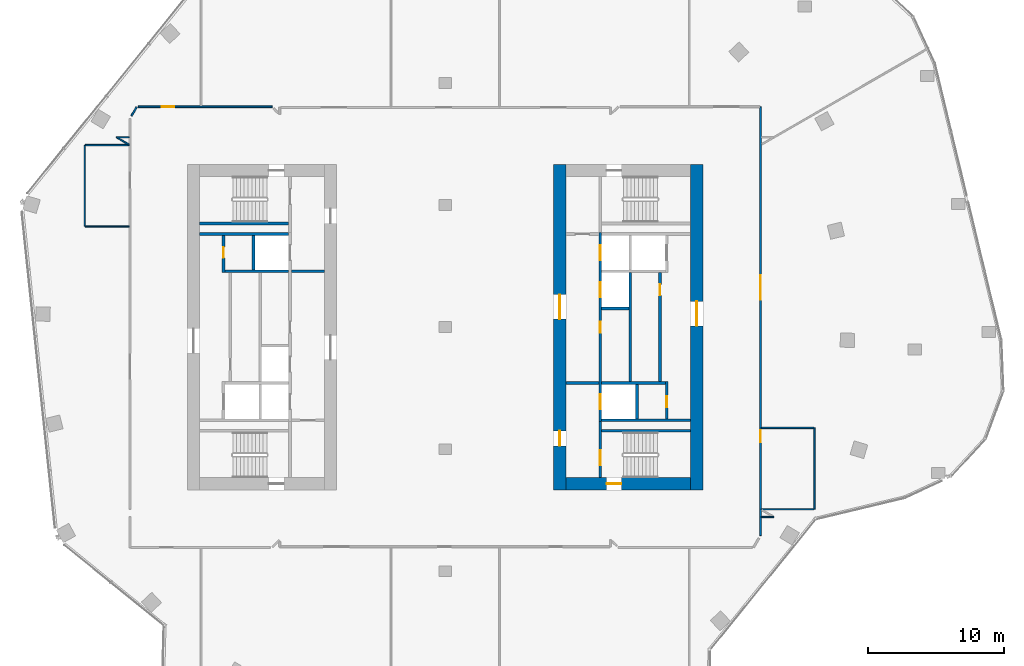
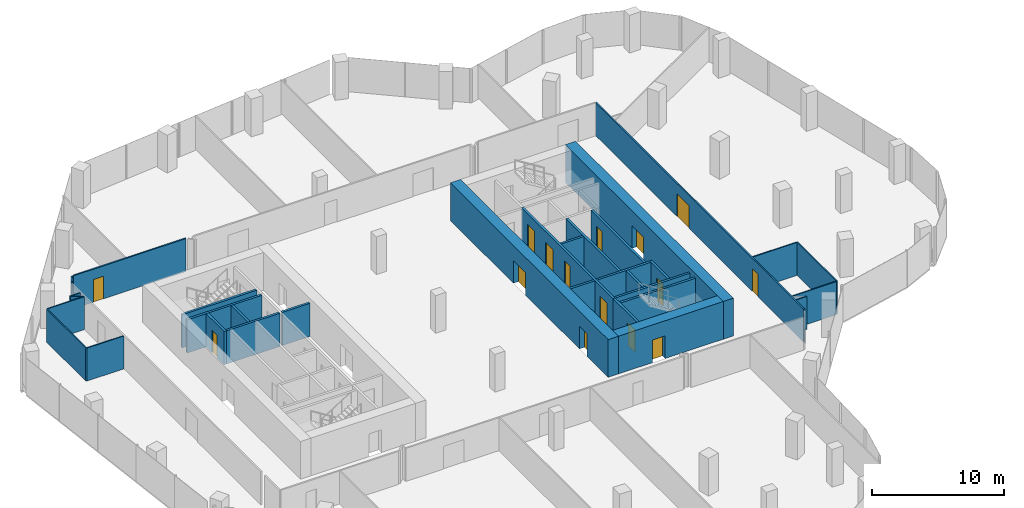
# One storey, part 19 of 25: 32 walls, 15 doors, 15 openings.
"""IFC4 building model written with IfcOpenShell, lengths in metres."""

from ifc_helpers import new_model, si_unit, direction, frame, frame_2d, origin, place, context, subcontext, project, spatial, rectangle, extrude, material, layer, layer_set, type_object, element, fill, save


model = new_model("IFC4")

# Units and contexts
model_context = context("Model", 3, precision=1e-05, world=origin(), true_north=direction((0.0, 1.0)))
body_context = subcontext(model_context, "Body", "Model", "MODEL_VIEW")
ifc_project = project(units=[si_unit("LENGTHUNIT", "METRE"), si_unit("AREAUNIT", "SQUARE_METRE"), si_unit("VOLUMEUNIT", "CUBIC_METRE"), si_unit("PLANEANGLEUNIT", "RADIAN"), si_unit("MASSUNIT", "GRAM", prefix="KILO")], contexts=[model_context])

# Site, building, storey
site_placement = place(None, origin())
site = spatial("IfcSite", under=ifc_project, at=site_placement, CompositionType="ELEMENT")
building_placement = place(site_placement, origin())
building = spatial("IfcBuilding", under=site, at=building_placement, Name="Orlundy Tower", CompositionType="ELEMENT")
storey_placement = place(building_placement, frame((0.0, 0.0, 217.5)))
storey = spatial("IfcBuildingStorey", under=building, at=storey_placement, Name="L57", CompositionType="ELEMENT", Elevation=217.5)

# Wall, opening, door
ifc_material_1 = material(Name="Concrete C60/75", Category="concrete")
ifc_layer_1 = layer(ifc_material_1, 0.89990234375)
ifc_layer_set_1 = layer_set([ifc_layer_1], Name="CORE WALL 900 C60/75")
wall_type_1 = type_object("IfcWallType", Name="CORE WALL 900 C60/75", PredefinedType="SHEAR", material=ifc_layer_set_1)
wall_1_placement = place(storey_placement, frame((8.89990234375, -11.550048828125, 0.0), z_axis=(0.0, 0.0, 1.0), x_axis=(1.0, 0.0, 0.0)))
wall_1 = element("IfcWall", 1, at=wall_1_placement, inside=storey, type_object=wall_type_1, Name="Core wall E-S L57", PredefinedType="SHEAR", context=body_context, shape_type="SweptSolid", body=[
    extrude(rectangle(XDim=9.2001953125, YDim=0.89990234375, at=frame_2d((4.60009765625, 0.0))), origin(), (0.0, 0.0, 1.0), 3.5),
])
opening_1_placement = place(wall_1_placement, frame((3.0, 0.0, 0.0)))
opening_1 = element("IfcOpeningElement", 2, at=opening_1_placement, cuts=wall_1, Name="Opening 44060", PredefinedType="OPENING", context=body_context, shape_type="SweptSolid", body=[
    extrude(rectangle(XDim=1.10009765625, YDim=2.10009765625, at=frame_2d((0.550048828125, 1.050048828125))), frame((0.0, 0.4599609375, 0.0), z_axis=(0.0, -1.0, 0.0), x_axis=(1.0, 0.0, 0.0)), (0.0, 0.0, 1.0), 0.919921875),
])
ifc_material_2 = material(Name="Steel door set", Category="steel")
door_type_1 = type_object("IfcDoorType", Name="Stair Door 1100x2100", OperationType="SINGLE_SWING_LEFT", PredefinedType="DOOR", material=ifc_material_2)
door_1_placement = place(opening_1_placement, origin())
door_1 = element("IfcDoor", 3, at=door_1_placement, inside=storey, type_object=door_type_1, Name="Stair door 44060", OperationType="SINGLE_SWING_LEFT", OverallHeight=2.10009765625, OverallWidth=1.10009765625, PredefinedType="DOOR", context=body_context, shape_type="SweptSolid", body=[
    extrude(rectangle(XDim=1.10009765625, YDim=2.10009765625, at=frame_2d((0.550048828125, 1.050048828125))), frame((0.0, 0.02490234375, 0.0), z_axis=(0.0, -1.0, 0.0), x_axis=(1.0, 0.0, 0.0)), (0.0, 0.0, 1.0), 0.050048828125),
])
fill(opening_1, door_1)

# Wall, openings, doors
wall_2_placement = place(storey_placement, frame((8.449951171875, -12.0, 0.0), z_axis=(0.0, 0.0, 1.0), x_axis=(0.0, 1.0, 0.0)))
wall_2 = element("IfcWall", 4, at=wall_2_placement, inside=storey, type_object=wall_type_1, Name="Core wall E-W L57", PredefinedType="SHEAR", context=body_context, shape_type="SweptSolid", body=[
    extrude(rectangle(XDim=24.0, YDim=0.89990234375, at=frame_2d((12.0, 0.0))), origin(), (0.0, 0.0, 1.0), 3.5),
])
opening_2_placement = place(wall_2_placement, frame((12.60009765625, 0.0, 0.0)))
opening_2 = element("IfcOpeningElement", 5, at=opening_2_placement, cuts=wall_2, Name="Opening 44057", PredefinedType="OPENING", context=body_context, shape_type="SweptSolid", body=[
    extrude(rectangle(XDim=1.800048828125, YDim=2.10009765625, at=frame_2d((0.89990234375, 1.050048828125))), frame((0.0, 0.4599609375, 0.0), z_axis=(0.0, -1.0, 0.0), x_axis=(1.0, 0.0, 0.0)), (0.0, 0.0, 1.0), 0.919921875),
])
opening_3_placement = place(wall_2_placement, frame((3.25, 0.0, 0.0)))
opening_3 = element("IfcOpeningElement", 6, at=opening_3_placement, cuts=wall_2, Name="Opening 44059", PredefinedType="OPENING", context=body_context, shape_type="SweptSolid", body=[
    extrude(rectangle(XDim=1.10009765625, YDim=2.10009765625, at=frame_2d((0.550048828125, 1.050048828125))), frame((0.0, 0.4599609375, 0.0), z_axis=(0.0, -1.0, 0.0), x_axis=(1.0, 0.0, 0.0)), (0.0, 0.0, 1.0), 0.919921875),
])
ifc_material_3 = material(Name="Steel door set", Category="steel")
door_type_2 = type_object("IfcDoorType", Name="Fire-fighting Lobby Door 1100x2100", OperationType="SINGLE_SWING_LEFT", PredefinedType="DOOR", material=ifc_material_3)
door_2_placement = place(opening_3_placement, origin())
door_2 = element("IfcDoor", 7, at=door_2_placement, inside=storey, type_object=door_type_2, Name="Fire-fighting lobby door 44059", OperationType="SINGLE_SWING_LEFT", OverallHeight=2.10009765625, OverallWidth=1.10009765625, PredefinedType="DOOR", context=body_context, shape_type="SweptSolid", body=[
    extrude(rectangle(XDim=1.10009765625, YDim=2.10009765625, at=frame_2d((0.550048828125, 1.050048828125))), frame((0.0, 0.02490234375, 0.0), z_axis=(0.0, -1.0, 0.0), x_axis=(1.0, 0.0, 0.0)), (0.0, 0.0, 1.0), 0.050048828125),
])
fill(opening_3, door_2)
ifc_material_4 = material(Name="Timber door set", Category="wood")
door_type_3 = type_object("IfcDoorType", Name="Lobby Door 1800x2100", OperationType="DOUBLE_DOOR_DOUBLE_SWING", PredefinedType="DOOR", material=ifc_material_4)
door_3_placement = place(opening_2_placement, origin())
door_3 = element("IfcDoor", 8, at=door_3_placement, inside=storey, type_object=door_type_3, Name="Lift lobby door 44057", OperationType="SINGLE_SWING_RIGHT", OverallHeight=2.10009765625, OverallWidth=1.800048828125, PredefinedType="DOOR", context=body_context, shape_type="SweptSolid", body=[
    extrude(rectangle(XDim=1.800048828125, YDim=2.10009765625, at=frame_2d((0.89990234375, 1.050048828125))), frame((0.0, 0.02490234375, 0.0), z_axis=(0.0, -1.0, 0.0), x_axis=(1.0, 0.0, 0.0)), (0.0, 0.0, 1.0), 0.050048828125),
])
fill(opening_2, door_3)

# Wall, opening, door
wall_3_placement = place(storey_placement, frame((18.550048828125, -12.0, 0.0), z_axis=(0.0, 0.0, 1.0), x_axis=(0.0, 1.0, 0.0)))
wall_3 = element("IfcWall", 9, at=wall_3_placement, inside=storey, type_object=wall_type_1, Name="Core wall E-E L57", PredefinedType="SHEAR", context=body_context, shape_type="SweptSolid", body=[
    extrude(rectangle(XDim=24.0, YDim=0.89990234375, at=frame_2d((12.0, 0.0))), origin(), (0.0, 0.0, 1.0), 3.5),
])
opening_4_placement = place(wall_3_placement, frame((12.10009765625, 0.0, 0.0)))
opening_4 = element("IfcOpeningElement", 10, at=opening_4_placement, cuts=wall_3, Name="Opening 44058", PredefinedType="OPENING", context=body_context, shape_type="SweptSolid", body=[
    extrude(rectangle(XDim=1.800048828125, YDim=2.10009765625, at=frame_2d((0.89990234375, 1.050048828125))), frame((0.0, 0.4599609375, 0.0), z_axis=(0.0, -1.0, 0.0), x_axis=(1.0, 0.0, 0.0)), (0.0, 0.0, 1.0), 0.919921875),
])
door_4_placement = place(opening_4_placement, origin())
door_4 = element("IfcDoor", 11, at=door_4_placement, inside=storey, type_object=door_type_3, Name="Lift lobby door 44058", OperationType="SINGLE_SWING_RIGHT", OverallHeight=2.10009765625, OverallWidth=1.800048828125, PredefinedType="DOOR", context=body_context, shape_type="SweptSolid", body=[
    extrude(rectangle(XDim=1.800048828125, YDim=2.10009765625, at=frame_2d((0.89990234375, 1.050048828125))), frame((0.0, 0.02490234375, 0.0), z_axis=(0.0, -1.0, 0.0), x_axis=(1.0, 0.0, 0.0)), (0.0, 0.0, 1.0), 0.050048828125),
])
fill(opening_4, door_4)

# Walls
ifc_material_5 = material(Name="Gypsum board partition")
ifc_layer_2 = layer(ifc_material_5, 0.10009765625)
ifc_layer_set_2 = layer_set([ifc_layer_2], Name="Floor partition 100")
wall_type_2 = type_object("IfcWallType", Name="Floor partition 100", PredefinedType="PARTITIONING", material=ifc_layer_set_2)
wall_4_placement = place(storey_placement, frame((-24.2060546875, 13.97509765625, 0.0), z_axis=(0.0, 0.0, 1.0), x_axis=(0.866136921896, -0.4998067952, 0.0)))
element("IfcWall", 12, at=wall_4_placement, inside=storey, type_object=wall_type_2, Name="wall-int-L57-005", PredefinedType="PARTITIONING", context=body_context, shape_type="SweptSolid", body=[
    extrude(rectangle(XDim=1.00244140625, YDim=0.10009765625, at=frame_2d((0.501220703125, 0.0))), origin(), (0.0, 0.0, 1.0), 3.06005859375),
])
wall_5_placement = place(storey_placement, frame((23.31396484375, -14.0, 0.0), z_axis=(0.0, 0.0, 1.0), x_axis=(1.0, 0.0, 0.0)))
element("IfcWall", 13, at=wall_5_placement, inside=storey, type_object=wall_type_2, Name="wall-int-L57-009", PredefinedType="PARTITIONING", context=body_context, shape_type="SweptSolid", body=[
    extrude(rectangle(XDim=0.93310546875, YDim=0.10009765625, at=frame_2d((0.466552734375, 0.0))), origin(), (0.0, 0.0, 1.0), 3.06005859375),
])
wall_6_placement = place(storey_placement, frame((23.31689453125, -13.426025390625, 0.0), z_axis=(0.0, 0.0, 1.0), x_axis=(1.0, 0.0, 0.0)))
element("IfcWall", 14, at=wall_6_placement, inside=storey, type_object=wall_type_2, Name="wall-int-L57-010", PredefinedType="PARTITIONING", context=body_context, shape_type="SweptSolid", body=[
    extrude(rectangle(XDim=3.882080078125, YDim=0.10009765625, at=frame_2d((1.94091796875, 0.0))), origin(), (0.0, 0.0, 1.0), 3.06005859375),
])
wall_7_placement = place(storey_placement, frame((23.31396484375, -7.425048828125, 0.0), z_axis=(0.0, 0.0, 1.0), x_axis=(1.0, 0.0, 0.0)))
element("IfcWall", 15, at=wall_7_placement, inside=storey, type_object=wall_type_2, Name="wall-int-L57-011", PredefinedType="PARTITIONING", context=body_context, shape_type="SweptSolid", body=[
    extrude(rectangle(XDim=3.885009765625, YDim=0.10009765625, at=frame_2d((1.9423828125, 0.0))), origin(), (0.0, 0.0, 1.0), 3.06005859375),
])
wall_8_placement = place(storey_placement, frame((-26.531982421875, 7.423095703125, 0.0), z_axis=(0.0, 0.0, 1.0), x_axis=(1.0, 0.0, 0.0)))
element("IfcWall", 16, at=wall_8_placement, inside=storey, type_object=wall_type_2, Name="wall-int-L57-012", PredefinedType="PARTITIONING", context=body_context, shape_type="SweptSolid", body=[
    extrude(rectangle(XDim=3.219970703125, YDim=0.10009765625, at=frame_2d((1.60986328125, 0.0))), origin(), (0.0, 0.0, 1.0), 3.06005859375),
])
wall_9_placement = place(storey_placement, frame((-26.531005859375, 13.424072265625, 0.0), z_axis=(0.0, 0.0, 1.0), x_axis=(1.0, 0.0, 0.0)))
element("IfcWall", 17, at=wall_9_placement, inside=storey, type_object=wall_type_2, Name="wall-int-L57-013", PredefinedType="PARTITIONING", context=body_context, shape_type="SweptSolid", body=[
    extrude(rectangle(XDim=3.217041015625, YDim=0.10009765625, at=frame_2d((1.6083984375, 0.0))), origin(), (0.0, 0.0, 1.0), 3.06005859375),
])
wall_10_placement = place(storey_placement, frame((-24.2490234375, 14.0, 0.0), z_axis=(0.0, 0.0, 1.0), x_axis=(1.0, 0.0, 0.0)))
element("IfcWall", 18, at=wall_10_placement, inside=storey, type_object=wall_type_2, Name="wall-int-L57-014", PredefinedType="PARTITIONING", context=body_context, shape_type="SweptSolid", body=[
    extrude(rectangle(XDim=0.93701171875, YDim=0.10009765625, at=frame_2d((0.468505859375, 0.0))), origin(), (0.0, 0.0, 1.0), 3.06005859375),
])
wall_11_placement = place(storey_placement, frame((27.2490234375, -13.426025390625, 0.0), z_axis=(0.0, 0.0, 1.0), x_axis=(0.0, 1.0, 0.0)))
element("IfcWall", 19, at=wall_11_placement, inside=storey, type_object=wall_type_2, Name="wall-int-L57-025", PredefinedType="PARTITIONING", context=body_context, shape_type="SweptSolid", body=[
    extrude(rectangle(XDim=6.0009765625, YDim=0.10009765625, at=frame_2d((3.00048828125, 0.0))), origin(), (0.0, 0.0, 1.0), 3.06005859375),
])
wall_12_placement = place(storey_placement, frame((-26.58203125, 7.423095703125, 0.0), z_axis=(0.0, 0.0, 1.0), x_axis=(0.0, 1.0, 0.0)))
element("IfcWall", 20, at=wall_12_placement, inside=storey, type_object=wall_type_2, Name="wall-int-L57-039", PredefinedType="PARTITIONING", context=body_context, shape_type="SweptSolid", body=[
    extrude(rectangle(XDim=6.0, YDim=0.10009765625, at=frame_2d((3.0, 0.0))), origin(), (0.0, 0.0, 1.0), 3.06005859375),
])

# Wall, opening, door
ifc_material_6 = material(Name="Gypsum board partition, double layer")
ifc_layer_3 = layer(ifc_material_6, 0.125)
ifc_layer_set_3 = layer_set([ifc_layer_3], Name="Floor partition 125")
wall_type_3 = type_object("IfcWallType", Name="Floor partition 125", PredefinedType="PARTITIONING", material=ifc_layer_set_3)
wall_13_placement = place(storey_placement, frame((-22.634033203125, 16.25, 0.0), z_axis=(0.0, 0.0, 1.0), x_axis=(1.0, 0.0, 0.0)))
wall_13 = element("IfcWall", 21, at=wall_13_placement, inside=storey, type_object=wall_type_3, Name="wall-int-L57-017", PredefinedType="PARTITIONING", context=body_context, shape_type="SweptSolid", body=[
    extrude(rectangle(XDim=9.875, YDim=0.125, at=frame_2d((4.9375, 0.0))), origin(), (0.0, 0.0, 1.0), 3.06005859375),
])
opening_5_placement = place(wall_13_placement, frame((1.740478515625, 0.0, 0.0)))
opening_5 = element("IfcOpeningElement", 22, at=opening_5_placement, cuts=wall_13, Name="Opening 44109", PredefinedType="OPENING", context=body_context, shape_type="SweptSolid", body=[
    extrude(rectangle(XDim=0.89990234375, YDim=2.10009765625, at=frame_2d((0.449951171875, 1.050048828125))), frame((0.0, 0.072509765625, 0.0), z_axis=(0.0, -1.0, 0.0), x_axis=(1.0, 0.0, 0.0)), (0.0, 0.0, 1.0), 0.14501953125),
])
ifc_material_7 = material(Name="Timber door leaf", Category="wood")
door_type_4 = type_object("IfcDoorType", Name="Floor door single 900 FD30S", OperationType="NOTDEFINED", PredefinedType="DOOR", material=ifc_material_7)
door_5_placement = place(opening_5_placement, origin())
door_5 = element("IfcDoor", 23, at=door_5_placement, inside=storey, type_object=door_type_4, Name="Door 44109", OperationType="SINGLE_SWING_LEFT", OverallHeight=2.10009765625, OverallWidth=0.89990234375, PredefinedType="DOOR", context=body_context, shape_type="SweptSolid", body=[
    extrude(rectangle(XDim=0.89990234375, YDim=2.10009765625, at=frame_2d((0.449951171875, 1.050048828125))), frame((0.0, 0.02490234375, 0.0), z_axis=(0.0, -1.0, 0.0), x_axis=(1.0, 0.0, 0.0)), (0.0, 0.0, 1.0), 0.050048828125),
])
fill(opening_5, door_5)

# Wall
wall_14_placement = place(storey_placement, frame((-23.134033203125, 15.5791015625, 0.0), z_axis=(0.0, 0.0, 1.0), x_axis=(0.508070392977, 0.861315549482, 0.0)))
element("IfcWall", 24, at=wall_14_placement, inside=storey, type_object=wall_type_3, Name="wall-int-L57-023", PredefinedType="PARTITIONING", context=body_context, shape_type="SweptSolid", body=[
    extrude(rectangle(XDim=0.76171875, YDim=0.125, at=frame_2d((0.380859375, 0.0))), origin(), (0.0, 0.0, 1.0), 3.06005859375),
])

# Wall, openings, doors
wall_15_placement = place(storey_placement, frame((23.2509765625, 16.25, 0.0), z_axis=(0.0, 0.0, 1.0), x_axis=(0.0, -1.0, 0.0)))
wall_15 = element("IfcWall", 25, at=wall_15_placement, inside=storey, type_object=wall_type_3, Name="wall-int-L57-026", PredefinedType="PARTITIONING", context=body_context, shape_type="SweptSolid", body=[
    extrude(rectangle(XDim=31.631103515625, YDim=0.125, at=frame_2d((15.8154296875, 0.0))), origin(), (0.0, 0.0, 1.0), 3.06005859375),
])
opening_6_placement = place(wall_15_placement, frame((12.426025390625, 0.0, 0.0)))
opening_6 = element("IfcOpeningElement", 26, at=opening_6_placement, cuts=wall_15, Name="Opening 44104", PredefinedType="OPENING", context=body_context, shape_type="SweptSolid", body=[
    extrude(rectangle(XDim=1.800048828125, YDim=2.10009765625, at=frame_2d((0.89990234375, 1.050048828125))), frame((0.0, 0.072509765625, 0.0), z_axis=(0.0, -1.0, 0.0), x_axis=(1.0, 0.0, 0.0)), (0.0, 0.0, 1.0), 0.14501953125),
])
opening_7_placement = place(wall_15_placement, frame((23.85009765625, 0.0, 0.0)))
opening_7 = element("IfcOpeningElement", 27, at=opening_7_placement, cuts=wall_15, Name="Opening 44111", PredefinedType="OPENING", context=body_context, shape_type="SweptSolid", body=[
    extrude(rectangle(XDim=0.89990234375, YDim=2.10009765625, at=frame_2d((0.449951171875, 1.050048828125))), frame((0.0, 0.072509765625, 0.0), z_axis=(0.0, -1.0, 0.0), x_axis=(1.0, 0.0, 0.0)), (0.0, 0.0, 1.0), 0.14501953125),
])
ifc_material_8 = material(Name="Timber door leaf", Category="wood")
door_type_5 = type_object("IfcDoorType", Name="Floor door double 1800 FD30S", OperationType="NOTDEFINED", PredefinedType="DOOR", material=ifc_material_8)
door_6_placement = place(opening_6_placement, origin())
door_6 = element("IfcDoor", 28, at=door_6_placement, inside=storey, type_object=door_type_5, Name="Door 44104", OperationType="DOUBLE_DOOR_SINGLE_SWING", OverallHeight=2.10009765625, OverallWidth=1.800048828125, PredefinedType="DOOR", context=body_context, shape_type="SweptSolid", body=[
    extrude(rectangle(XDim=1.800048828125, YDim=2.10009765625, at=frame_2d((0.89990234375, 1.050048828125))), frame((0.0, 0.02490234375, 0.0), z_axis=(0.0, -1.0, 0.0), x_axis=(1.0, 0.0, 0.0)), (0.0, 0.0, 1.0), 0.050048828125),
])
fill(opening_6, door_6)
door_7_placement = place(opening_7_placement, origin())
door_7 = element("IfcDoor", 29, at=door_7_placement, inside=storey, type_object=door_type_4, Name="Door 44111", OperationType="SINGLE_SWING_RIGHT", OverallHeight=2.10009765625, OverallWidth=0.89990234375, PredefinedType="DOOR", context=body_context, shape_type="SweptSolid", body=[
    extrude(rectangle(XDim=0.89990234375, YDim=2.10009765625, at=frame_2d((0.449951171875, 1.050048828125))), frame((0.0, 0.02490234375, 0.0), z_axis=(0.0, -1.0, 0.0), x_axis=(1.0, 0.0, 0.0)), (0.0, 0.0, 1.0), 0.050048828125),
])
fill(opening_7, door_7)

# Wall
ifc_material_9 = material(Name="Concrete C40/50", Category="concrete")
ifc_layer_4 = layer(ifc_material_9, 0.199951171875)
ifc_layer_set_4 = layer_set([ifc_layer_4], Name="Load-bearing Shaft Wall 200")
wall_type_4 = type_object("IfcWallType", Name="Load-bearing Shaft Wall 200", PredefinedType="SOLIDWALL", material=ifc_layer_set_4)
wall_16_placement = place(storey_placement, frame((-11.5400390625, 7.64990234375, 0.0), z_axis=(0.0, 0.0, 1.0), x_axis=(-1.0, 0.0, 0.0)))
element("IfcWall", 30, at=wall_16_placement, inside=storey, type_object=wall_type_4, Name="Shaft wall W44-stair-side-n", PredefinedType="SOLIDWALL", context=body_context, shape_type="SweptSolid", body=[
    extrude(rectangle(XDim=6.56005859375, YDim=0.199951171875, at=frame_2d((3.280029296875, 0.0))), origin(), (0.0, 0.0, 1.0), 3.080078125),
])

# Wall, opening, door
wall_17_placement = place(storey_placement, frame((11.43994140625, -6.97509765625, 0.0), z_axis=(0.0, 0.0, 1.0), x_axis=(0.0, -1.0, 0.0)))
wall_17 = element("IfcWall", 31, at=wall_17_placement, inside=storey, type_object=wall_type_4, Name="Shaft wall E44-stair-end-n", PredefinedType="SOLIDWALL", context=body_context, shape_type="SweptSolid", body=[
    extrude(rectangle(XDim=4.125, YDim=0.199951171875, at=frame_2d((2.0625, 0.0))), origin(), (0.0, 0.0, 1.0), 3.080078125),
])
opening_8_placement = place(wall_17_placement, frame((2.10009765625, 0.0, 0.0)))
opening_8 = element("IfcOpeningElement", 32, at=opening_8_placement, cuts=wall_17, Name="Opening 44062", PredefinedType="OPENING", context=body_context, shape_type="SweptSolid", body=[
    extrude(rectangle(XDim=1.10009765625, YDim=2.10009765625, at=frame_2d((0.550048828125, 1.050048828125))), frame((0.0, 0.110107421875, 0.0), z_axis=(0.0, -1.0, 0.0), x_axis=(1.0, 0.0, 0.0)), (0.0, 0.0, 1.0), 0.22021484375),
])
door_8_placement = place(opening_8_placement, origin())
door_8 = element("IfcDoor", 33, at=door_8_placement, inside=storey, type_object=door_type_2, Name="Fire-fighting lobby to stair door 44062", OperationType="SINGLE_SWING_RIGHT", OverallHeight=2.10009765625, OverallWidth=1.10009765625, PredefinedType="DOOR", context=body_context, shape_type="SweptSolid", body=[
    extrude(rectangle(XDim=1.10009765625, YDim=2.10009765625, at=frame_2d((0.550048828125, 1.050048828125))), frame((0.0, 0.02490234375, 0.0), z_axis=(0.0, -1.0, 0.0), x_axis=(1.0, 0.0, 0.0)), (0.0, 0.0, 1.0), 0.050048828125),
])
fill(opening_8, door_8)

# Walls
wall_18_placement = place(storey_placement, frame((11.5400390625, -7.64990234375, 0.0), z_axis=(0.0, 0.0, 1.0), x_axis=(1.0, 0.0, 0.0)))
element("IfcWall", 34, at=wall_18_placement, inside=storey, type_object=wall_type_4, Name="Shaft wall E44-stair-side-n", PredefinedType="SOLIDWALL", context=body_context, shape_type="SweptSolid", body=[
    extrude(rectangle(XDim=6.56005859375, YDim=0.199951171875, at=frame_2d((3.280029296875, 0.0))), origin(), (0.0, 0.0, 1.0), 3.080078125),
])
ifc_material_10 = material(Name="Gypsum board partition on steel studs", Category="steel")
ifc_layer_5 = layer(ifc_material_10, 0.199951171875)
ifc_layer_set_5 = layer_set([ifc_layer_5], Name="Partition 200")
wall_type_5 = type_object("IfcWallType", Name="Partition 200", PredefinedType="PARTITIONING", material=ifc_layer_set_5)
for number, where, z_axis, x_axis, name in (
    (35, (-8.89990234375, 4.125, 0.0), (0.0, 0.0, 1.0), (-1.0, 0.0, 0.0), "Partition wall W44-lobby-n"),
    (36, (8.89990234375, -4.125, 0.0), (0.0, 0.0, 1.0), (1.0, 0.0, 0.0), "Partition wall E44-lobby-n"),
):
    element("IfcWall", number, at=place(storey_placement, frame(where, z_axis=z_axis, x_axis=x_axis)), inside=storey, type_object=wall_type_5, Name=name, PredefinedType="PARTITIONING", context=body_context, shape_type="SweptSolid", body=[
        extrude(rectangle(XDim=2.440185546875, YDim=0.199951171875, at=frame_2d((1.22021484375, 0.0))), origin(), (0.0, 0.0, 1.0), 3.080078125),
    ])
ifc_material_11 = material(Name="Fire-rated blockwork shaft wall", Category="masonry")
ifc_layer_6 = layer(ifc_material_11, 0.199951171875)
ifc_layer_set_6 = layer_set([ifc_layer_6], Name="Shaft Wall 200")
wall_type_6 = type_object("IfcWallType", Name="Shaft Wall 200", PredefinedType="SOLIDWALL", material=ifc_layer_set_6)
wall_19_placement = place(storey_placement, frame((-11.5400390625, 6.875, 0.0), z_axis=(0.0, 0.0, 1.0), x_axis=(-1.0, 0.0, 0.0)))
element("IfcWall", 37, at=wall_19_placement, inside=storey, type_object=wall_type_6, Name="Shaft wall W44-zone-n", PredefinedType="SOLIDWALL", context=body_context, shape_type="SweptSolid", body=[
    extrude(rectangle(XDim=6.56005859375, YDim=0.199951171875, at=frame_2d((3.280029296875, 0.0))), origin(), (0.0, 0.0, 1.0), 3.080078125),
])
wall_20_placement = place(storey_placement, frame((-11.5400390625, 4.125, 0.0), z_axis=(0.0, 0.0, 1.0), x_axis=(-1.0, 0.0, 0.0)))
element("IfcWall", 38, at=wall_20_placement, inside=storey, type_object=wall_type_6, Name="Shaft wall W44-cross+4.125", PredefinedType="SOLIDWALL", context=body_context, shape_type="SweptSolid", body=[
    extrude(rectangle(XDim=4.699951171875, YDim=0.199951171875, at=frame_2d((2.35009765625, 0.0))), origin(), (0.0, 0.0, 1.0), 3.080078125),
])
wall_21_placement = place(storey_placement, frame((-14.139892578125, 4.22509765625, 0.0), z_axis=(0.0, 0.0, 1.0), x_axis=(0.0, 1.0, 0.0)))
element("IfcWall", 39, at=wall_21_placement, inside=storey, type_object=wall_type_6, Name="Shaft wall W44-mid-b", PredefinedType="SOLIDWALL", context=body_context, shape_type="SweptSolid", body=[
    extrude(rectangle(XDim=2.5498046875, YDim=0.199951171875, at=frame_2d((1.27490234375, 0.0))), origin(), (0.0, 0.0, 1.0), 3.080078125),
])

# Wall, opening, door
wall_22_placement = place(storey_placement, frame((-16.340087890625, 4.02490234375, 0.0), z_axis=(0.0, 0.0, 1.0), x_axis=(0.0, 1.0, 0.0)))
wall_22 = element("IfcWall", 40, at=wall_22_placement, inside=storey, type_object=wall_type_6, Name="Shaft wall W44-front-o-c", PredefinedType="SOLIDWALL", context=body_context, shape_type="SweptSolid", body=[
    extrude(rectangle(XDim=2.75, YDim=0.199951171875, at=frame_2d((1.375, 0.0))), origin(), (0.0, 0.0, 1.0), 3.080078125),
])
opening_9_placement = place(wall_22_placement, frame((1.074951171875, 0.0, 0.0)))
opening_9 = element("IfcOpeningElement", 41, at=opening_9_placement, cuts=wall_22, Name="Opening 44007", PredefinedType="OPENING", context=body_context, shape_type="SweptSolid", body=[
    extrude(rectangle(XDim=0.800048828125, YDim=2.10009765625, at=frame_2d((0.39990234375, 1.050048828125))), frame((0.0, 0.110107421875, 0.0), z_axis=(0.0, -1.0, 0.0), x_axis=(1.0, 0.0, 0.0)), (0.0, 0.0, 1.0), 0.22021484375),
])
ifc_material_12 = material(Name="Timber door set", Category="wood")
door_type_6 = type_object("IfcDoorType", Name="Riser Door 800x2100", OperationType="SINGLE_SWING_LEFT", PredefinedType="DOOR", material=ifc_material_12)
door_9_placement = place(opening_9_placement, origin())
door_9 = element("IfcDoor", 42, at=door_9_placement, inside=storey, type_object=door_type_6, Name="Water Riser Room door 44007", OperationType="SINGLE_SWING_LEFT", OverallHeight=2.10009765625, OverallWidth=0.800048828125, PredefinedType="DOOR", context=body_context, shape_type="SweptSolid", body=[
    extrude(rectangle(XDim=0.800048828125, YDim=2.10009765625, at=frame_2d((0.39990234375, 1.050048828125))), frame((0.0, 0.02490234375, 0.0), z_axis=(0.0, -1.0, 0.0), x_axis=(1.0, 0.0, 0.0)), (0.0, 0.0, 1.0), 0.050048828125),
])
fill(opening_9, door_9)

# Walls
wall_23_placement = place(storey_placement, frame((11.5400390625, -6.875, 0.0), z_axis=(0.0, 0.0, 1.0), x_axis=(1.0, 0.0, 0.0)))
element("IfcWall", 43, at=wall_23_placement, inside=storey, type_object=wall_type_6, Name="Shaft wall E44-zone-n", PredefinedType="SOLIDWALL", context=body_context, shape_type="SweptSolid", body=[
    extrude(rectangle(XDim=6.56005859375, YDim=0.199951171875, at=frame_2d((3.280029296875, 0.0))), origin(), (0.0, 0.0, 1.0), 3.080078125),
])
wall_24_placement = place(storey_placement, frame((11.5400390625, 1.375, 0.0), z_axis=(0.0, 0.0, 1.0), x_axis=(1.0, 0.0, 0.0)))
element("IfcWall", 44, at=wall_24_placement, inside=storey, type_object=wall_type_6, Name="Shaft wall E44-cross-1.375", PredefinedType="SOLIDWALL", context=body_context, shape_type="SweptSolid", body=[
    extrude(rectangle(XDim=2.0, YDim=0.199951171875, at=frame_2d((1.0, 0.0))), origin(), (0.0, 0.0, 1.0), 3.080078125),
])
wall_25_placement = place(storey_placement, frame((11.5400390625, -4.125, 0.0), z_axis=(0.0, 0.0, 1.0), x_axis=(1.0, 0.0, 0.0)))
element("IfcWall", 45, at=wall_25_placement, inside=storey, type_object=wall_type_6, Name="Shaft wall E44-cross+4.125", PredefinedType="SOLIDWALL", context=body_context, shape_type="SweptSolid", body=[
    extrude(rectangle(XDim=4.699951171875, YDim=0.199951171875, at=frame_2d((2.35009765625, 0.0))), origin(), (0.0, 0.0, 1.0), 3.080078125),
])

# Wall, openings, doors
wall_26_placement = place(storey_placement, frame((11.43994140625, 6.97509765625, 0.0), z_axis=(0.0, 0.0, 1.0), x_axis=(0.0, -1.0, 0.0)))
wall_26 = element("IfcWall", 46, at=wall_26_placement, inside=storey, type_object=wall_type_6, Name="Shaft wall E44-front-h", PredefinedType="SOLIDWALL", context=body_context, shape_type="SweptSolid", body=[
    extrude(rectangle(XDim=13.9501953125, YDim=0.199951171875, at=frame_2d((6.97509765625, 0.0))), origin(), (0.0, 0.0, 1.0), 3.080078125),
])
opening_10_placement = place(wall_26_placement, frame((0.925048828125, 0.0, 0.0)))
opening_10 = element("IfcOpeningElement", 47, at=opening_10_placement, cuts=wall_26, Name="Opening 44050", PredefinedType="OPENING", context=body_context, shape_type="SweptSolid", body=[
    extrude(rectangle(XDim=1.10009765625, YDim=2.10009765625, at=frame_2d((0.550048828125, 1.050048828125))), frame((0.0, 0.110107421875, 0.0), z_axis=(0.0, -1.0, 0.0), x_axis=(1.0, 0.0, 0.0)), (0.0, 0.0, 1.0), 0.22021484375),
])
opening_11_placement = place(wall_26_placement, frame((3.675048828125, 0.0, 0.0)))
opening_11 = element("IfcOpeningElement", 48, at=opening_11_placement, cuts=wall_26, Name="Opening 44052", PredefinedType="OPENING", context=body_context, shape_type="SweptSolid", body=[
    extrude(rectangle(XDim=1.10009765625, YDim=2.10009765625, at=frame_2d((0.550048828125, 1.050048828125))), frame((0.0, 0.110107421875, 0.0), z_axis=(0.0, -1.0, 0.0), x_axis=(1.0, 0.0, 0.0)), (0.0, 0.0, 1.0), 0.22021484375),
])
opening_12_placement = place(wall_26_placement, frame((11.925048828125, 0.0, 0.0)))
opening_12 = element("IfcOpeningElement", 49, at=opening_12_placement, cuts=wall_26, Name="Opening 44053", PredefinedType="OPENING", context=body_context, shape_type="SweptSolid", body=[
    extrude(rectangle(XDim=1.10009765625, YDim=2.10009765625, at=frame_2d((0.550048828125, 1.050048828125))), frame((0.0, 0.110107421875, 0.0), z_axis=(0.0, -1.0, 0.0), x_axis=(1.0, 0.0, 0.0)), (0.0, 0.0, 1.0), 0.22021484375),
])
opening_13_placement = place(wall_26_placement, frame((6.574951171875, 0.0, 0.0)))
opening_13 = element("IfcOpeningElement", 50, at=opening_13_placement, cuts=wall_26, Name="Opening 44055", PredefinedType="OPENING", context=body_context, shape_type="SweptSolid", body=[
    extrude(rectangle(XDim=0.800048828125, YDim=2.10009765625, at=frame_2d((0.39990234375, 1.050048828125))), frame((0.0, 0.110107421875, 0.0), z_axis=(0.0, -1.0, 0.0), x_axis=(1.0, 0.0, 0.0)), (0.0, 0.0, 1.0), 0.22021484375),
])
ifc_material_13 = material(Name="Steel door set", Category="steel")
door_type_7 = type_object("IfcDoorType", Name="Landing Door 1100x2100", OperationType="DOUBLE_DOOR_SLIDING", PredefinedType="DOOR", material=ifc_material_13)
door_10_placement = place(opening_10_placement, origin())
door_10 = element("IfcDoor", 51, at=door_10_placement, inside=storey, type_object=door_type_7, Name="Lift landing door LP-24 44050", OperationType="DOUBLE_DOOR_SLIDING", OverallHeight=2.10009765625, OverallWidth=1.10009765625, PredefinedType="DOOR", context=body_context, shape_type="SweptSolid", body=[
    extrude(rectangle(XDim=1.10009765625, YDim=2.10009765625, at=frame_2d((0.550048828125, 1.050048828125))), frame((0.0, 0.02490234375, 0.0), z_axis=(0.0, -1.0, 0.0), x_axis=(1.0, 0.0, 0.0)), (0.0, 0.0, 1.0), 0.050048828125),
])
fill(opening_10, door_10)
door_11_placement = place(opening_11_placement, origin())
door_11 = element("IfcDoor", 52, at=door_11_placement, inside=storey, type_object=door_type_7, Name="Lift landing door LP-23 44052", OperationType="DOUBLE_DOOR_SLIDING", OverallHeight=2.10009765625, OverallWidth=1.10009765625, PredefinedType="DOOR", context=body_context, shape_type="SweptSolid", body=[
    extrude(rectangle(XDim=1.10009765625, YDim=2.10009765625, at=frame_2d((0.550048828125, 1.050048828125))), frame((0.0, 0.02490234375, 0.0), z_axis=(0.0, -1.0, 0.0), x_axis=(1.0, 0.0, 0.0)), (0.0, 0.0, 1.0), 0.050048828125),
])
fill(opening_11, door_11)
door_12_placement = place(opening_12_placement, origin())
door_12 = element("IfcDoor", 53, at=door_12_placement, inside=storey, type_object=door_type_7, Name="Lift landing door FL2 44053", OperationType="DOUBLE_DOOR_SLIDING", OverallHeight=2.10009765625, OverallWidth=1.10009765625, PredefinedType="DOOR", context=body_context, shape_type="SweptSolid", body=[
    extrude(rectangle(XDim=1.10009765625, YDim=2.10009765625, at=frame_2d((0.550048828125, 1.050048828125))), frame((0.0, 0.02490234375, 0.0), z_axis=(0.0, -1.0, 0.0), x_axis=(1.0, 0.0, 0.0)), (0.0, 0.0, 1.0), 0.050048828125),
])
fill(opening_12, door_12)
door_13_placement = place(opening_13_placement, origin())
door_13 = element("IfcDoor", 54, at=door_13_placement, inside=storey, type_object=door_type_6, Name="Records Store door 44055", OperationType="SINGLE_SWING_LEFT", OverallHeight=2.10009765625, OverallWidth=0.800048828125, PredefinedType="DOOR", context=body_context, shape_type="SweptSolid", body=[
    extrude(rectangle(XDim=0.800048828125, YDim=2.10009765625, at=frame_2d((0.39990234375, 1.050048828125))), frame((0.0, 0.02490234375, 0.0), z_axis=(0.0, -1.0, 0.0), x_axis=(1.0, 0.0, 0.0)), (0.0, 0.0, 1.0), 0.050048828125),
])
fill(opening_13, door_13)

# Walls
wall_27_placement = place(storey_placement, frame((13.639892578125, 4.02490234375, 0.0), z_axis=(0.0, 0.0, 1.0), x_axis=(0.0, -1.0, 0.0)))
element("IfcWall", 55, at=wall_27_placement, inside=storey, type_object=wall_type_6, Name="Shaft wall E44-mid-a.1", PredefinedType="SOLIDWALL", context=body_context, shape_type="SweptSolid", body=[
    extrude(rectangle(XDim=8.0498046875, YDim=0.199951171875, at=frame_2d((4.02490234375, 0.0))), origin(), (0.0, 0.0, 1.0), 3.080078125),
])
wall_28_placement = place(storey_placement, frame((14.139892578125, -4.22509765625, 0.0), z_axis=(0.0, 0.0, 1.0), x_axis=(0.0, -1.0, 0.0)))
element("IfcWall", 56, at=wall_28_placement, inside=storey, type_object=wall_type_6, Name="Shaft wall E44-mid-b", PredefinedType="SOLIDWALL", context=body_context, shape_type="SweptSolid", body=[
    extrude(rectangle(XDim=2.5498046875, YDim=0.199951171875, at=frame_2d((1.27490234375, 0.0))), origin(), (0.0, 0.0, 1.0), 3.080078125),
])

# Wall, opening, door
wall_29_placement = place(storey_placement, frame((15.840087890625, 4.02490234375, 0.0), z_axis=(0.0, 0.0, 1.0), x_axis=(0.0, -1.0, 0.0)))
wall_29 = element("IfcWall", 57, at=wall_29_placement, inside=storey, type_object=wall_type_6, Name="Shaft wall E44-front-o-b", PredefinedType="SOLIDWALL", context=body_context, shape_type="SweptSolid", body=[
    extrude(rectangle(XDim=8.0498046875, YDim=0.199951171875, at=frame_2d((4.02490234375, 0.0))), origin(), (0.0, 0.0, 1.0), 3.080078125),
])
opening_14_placement = place(wall_29_placement, frame((0.875, 0.0, 0.0)))
opening_14 = element("IfcOpeningElement", 58, at=opening_14_placement, cuts=wall_29, Name="Opening 44054", PredefinedType="OPENING", context=body_context, shape_type="SweptSolid", body=[
    extrude(rectangle(XDim=0.800048828125, YDim=2.10009765625, at=frame_2d((0.39990234375, 1.050048828125))), frame((0.0, 0.110107421875, 0.0), z_axis=(0.0, -1.0, 0.0), x_axis=(1.0, 0.0, 0.0)), (0.0, 0.0, 1.0), 0.22021484375),
])
door_14_placement = place(opening_14_placement, origin())
door_14 = element("IfcDoor", 59, at=door_14_placement, inside=storey, type_object=door_type_6, Name="Refuse Room door 44054", OperationType="SINGLE_SWING_LEFT", OverallHeight=2.10009765625, OverallWidth=0.800048828125, PredefinedType="DOOR", context=body_context, shape_type="SweptSolid", body=[
    extrude(rectangle(XDim=0.800048828125, YDim=2.10009765625, at=frame_2d((0.39990234375, 1.050048828125))), frame((0.0, 0.02490234375, 0.0), z_axis=(0.0, -1.0, 0.0), x_axis=(1.0, 0.0, 0.0)), (0.0, 0.0, 1.0), 0.050048828125),
])
fill(opening_14, door_14)

wall_30_placement = place(storey_placement, frame((16.340087890625, -4.02490234375, 0.0), z_axis=(0.0, 0.0, 1.0), x_axis=(0.0, -1.0, 0.0)))
wall_30 = element("IfcWall", 60, at=wall_30_placement, inside=storey, type_object=wall_type_6, Name="Shaft wall E44-front-o-c", PredefinedType="SOLIDWALL", context=body_context, shape_type="SweptSolid", body=[
    extrude(rectangle(XDim=2.75, YDim=0.199951171875, at=frame_2d((1.375, 0.0))), origin(), (0.0, 0.0, 1.0), 3.080078125),
])
opening_15_placement = place(wall_30_placement, frame((1.074951171875, 0.0, 0.0)))
opening_15 = element("IfcOpeningElement", 61, at=opening_15_placement, cuts=wall_30, Name="Opening 44056", PredefinedType="OPENING", context=body_context, shape_type="SweptSolid", body=[
    extrude(rectangle(XDim=0.800048828125, YDim=2.10009765625, at=frame_2d((0.39990234375, 1.050048828125))), frame((0.0, 0.110107421875, 0.0), z_axis=(0.0, -1.0, 0.0), x_axis=(1.0, 0.0, 0.0)), (0.0, 0.0, 1.0), 0.22021484375),
])
door_15_placement = place(opening_15_placement, origin())
door_15 = element("IfcDoor", 62, at=door_15_placement, inside=storey, type_object=door_type_6, Name="Water Riser Room door 44056", OperationType="SINGLE_SWING_LEFT", OverallHeight=2.10009765625, OverallWidth=0.800048828125, PredefinedType="DOOR", context=body_context, shape_type="SweptSolid", body=[
    extrude(rectangle(XDim=0.800048828125, YDim=2.10009765625, at=frame_2d((0.39990234375, 1.050048828125))), frame((0.0, 0.02490234375, 0.0), z_axis=(0.0, -1.0, 0.0), x_axis=(1.0, 0.0, 0.0)), (0.0, 0.0, 1.0), 0.050048828125),
])
fill(opening_15, door_15)

save(model, "model.ifc")
